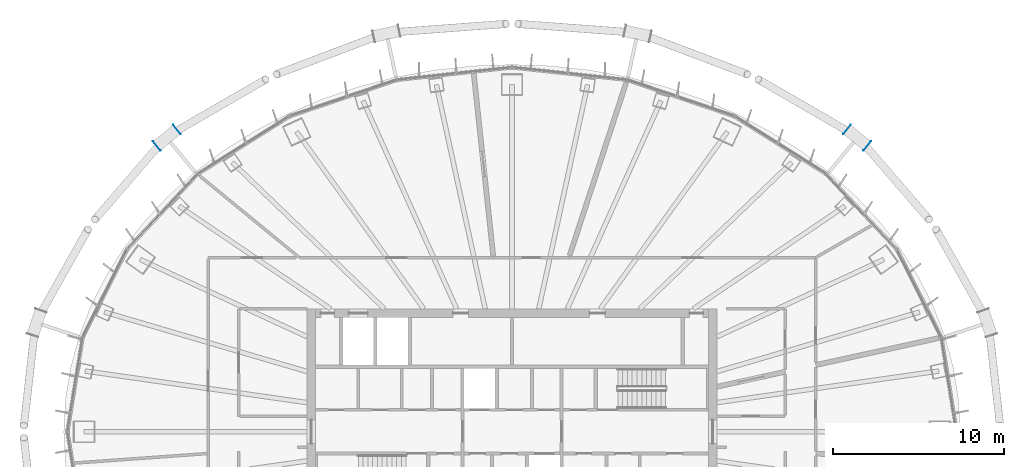
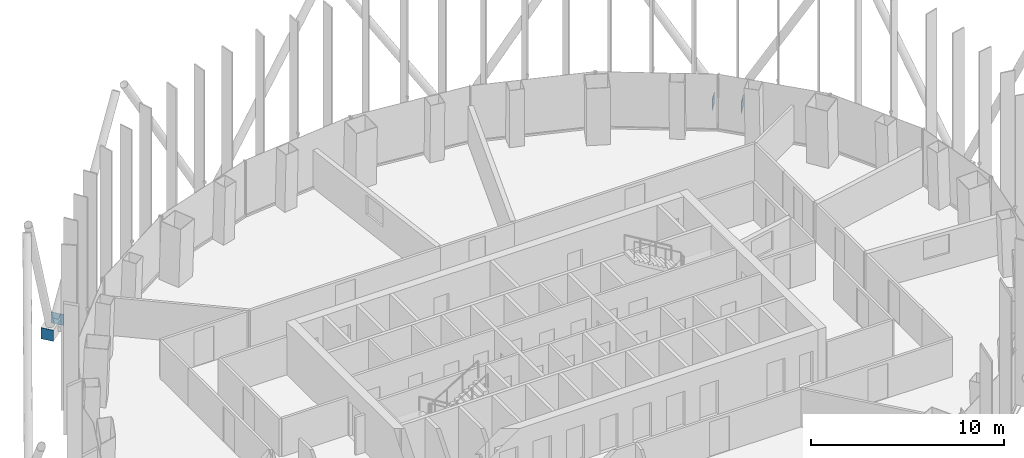
# One storey, part 12 of 19: 4 discrete accessories.
"""IFC4 building model written with IfcOpenShell, lengths in metres."""

from ifc_helpers import new_model, si_unit, direction, frame, origin, origin_2d, place, context, subcontext, project, spatial, rectangle, extrude, material, layer, layer_set, type_object, element, save


model = new_model("IFC4")

# Units and contexts
model_context = context("Model", 3, precision=1e-05, world=origin(), true_north=direction((0.0, 1.0)))
body_context = subcontext(model_context, "Body", "Model", "MODEL_VIEW")
ifc_project = project(units=[si_unit("LENGTHUNIT", "METRE"), si_unit("AREAUNIT", "SQUARE_METRE"), si_unit("VOLUMEUNIT", "CUBIC_METRE"), si_unit("PLANEANGLEUNIT", "RADIAN"), si_unit("MASSUNIT", "GRAM", prefix="KILO")], contexts=[model_context])

# Site, building, storey
site_placement = place(None, origin())
site = spatial("IfcSite", under=ifc_project, at=site_placement, CompositionType="ELEMENT")
building_placement = place(site_placement, origin())
building = spatial("IfcBuilding", under=site, at=building_placement, Name="Siaravel Broadcast Tower", CompositionType="ELEMENT")
storey_placement = place(building_placement, frame((0.0, 0.0, 97.10009765625)))
storey = spatial("IfcBuildingStorey", under=building, at=storey_placement, Name="L22", CompositionType="ELEMENT", Elevation=97.10009765625)

# Discrete accessories
ifc_material = material(Name="Steel S355", Category="steel")
ifc_layer = layer(ifc_material, 0.02001953125)
ifc_layer_set = layer_set([ifc_layer], Name="Steel S355")
discrete_accessory_type = type_object("IfcDiscreteAccessoryType", Name="Steel end plate 20 mm", PredefinedType="USERDEFINED", material=ifc_layer_set)
for number, where, z_axis, x_axis, name in (
    (1, (19.625, 17.70458984375, -0.55029296875), (0.0, 0.0, 1.0), (-0.773604694, 0.633668508, 0.0), "End plate R10 station 09A"),
    (2, (20.806396484375, 16.737060546875, -0.55029296875), (0.0, 0.0, 1.0), (-0.773604694, 0.633668508, 0.0), "End plate R10 station 09B"),
    (3, (-20.806396484375, 16.737060546875, -0.55029296875), (0.0, 0.0, 1.0), (-0.773604694, -0.633668508, 0.0), "End plate R10 station 27A"),
    (4, (-19.625, 17.70458984375, -0.55029296875), (0.0, 0.0, 1.0), (-0.773604694, -0.633668508, 0.0), "End plate R10 station 27B"),
):
    element("IfcDiscreteAccessory", number, at=place(storey_placement, frame(where, z_axis=z_axis, x_axis=x_axis)), inside=storey, type_object=discrete_accessory_type, Name=name, ObjectType="END PLATE", PredefinedType="USERDEFINED", context=body_context, shape_type="SweptSolid", body=[
        extrude(rectangle(XDim=0.02001953125, YDim=0.699951171875, at=origin_2d()), origin(), (0.0, 0.0, 1.0), 0.699951171875),
    ])

save(model, "model.ifc")
